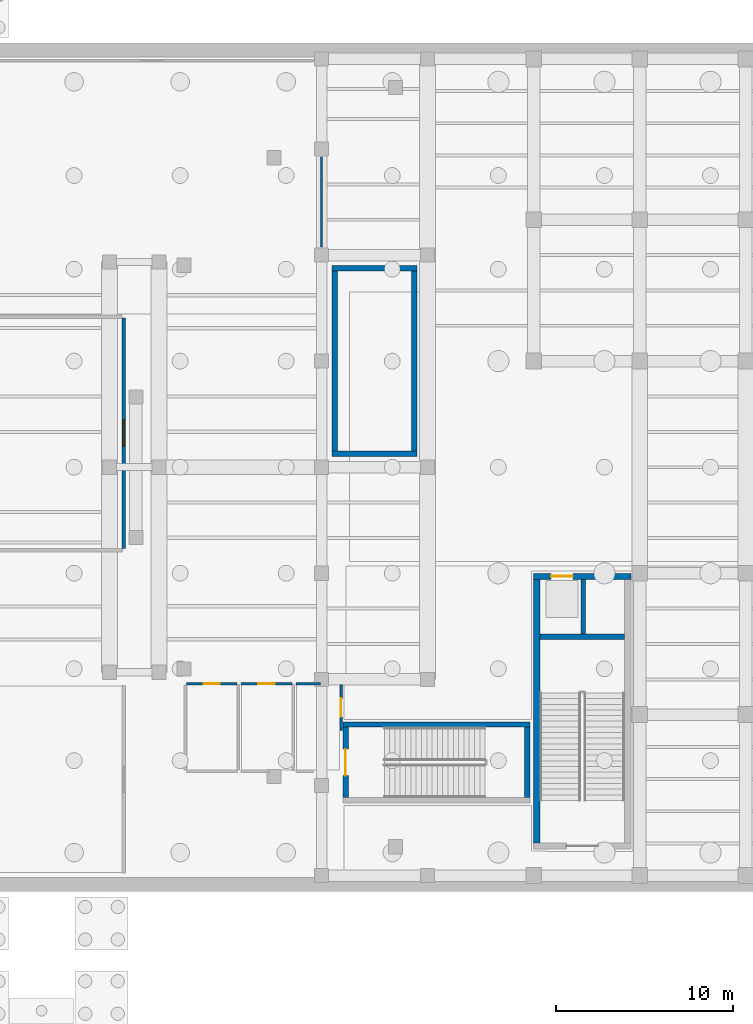
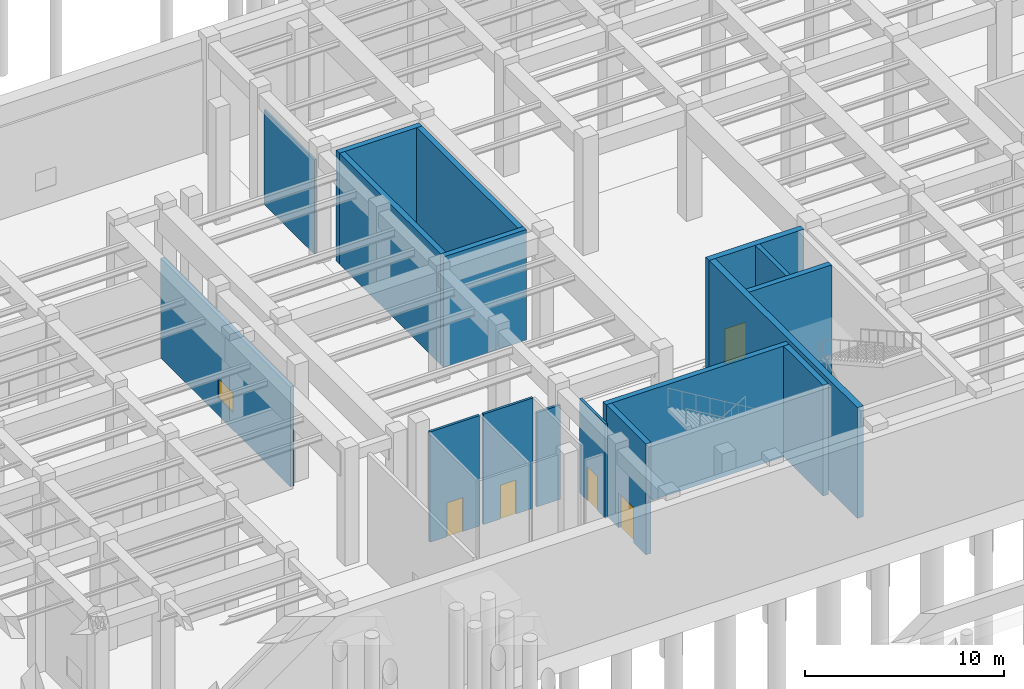
# One storey, part 14 of 30: 17 walls, 5 doors, 1 window, 6 openings.
"""IFC4 building model written with IfcOpenShell, lengths in metres."""

from ifc_helpers import new_model, si_unit, direction, frame, frame_2d, origin, place, context, subcontext, project, spatial, rectangle, extrude, material, layer, layer_set, type_object, element, fill, save


model = new_model("IFC4")

# Units and contexts
model_context = context("Model", 3, precision=1e-05, world=origin(), true_north=direction((0.0, 1.0)))
body_context = subcontext(model_context, "Body", "Model", "MODEL_VIEW")
ifc_project = project(units=[si_unit("LENGTHUNIT", "METRE"), si_unit("AREAUNIT", "SQUARE_METRE"), si_unit("VOLUMEUNIT", "CUBIC_METRE"), si_unit("PLANEANGLEUNIT", "RADIAN"), si_unit("MASSUNIT", "GRAM", prefix="KILO")], contexts=[model_context])

# Site, building, storey
site_placement = place(None, origin())
site = spatial("IfcSite", under=ifc_project, at=site_placement, CompositionType="ELEMENT")
building_placement = place(site_placement, origin())
building = spatial("IfcBuilding", under=site, at=building_placement, Name="Kolvaren Corner Interchange", CompositionType="ELEMENT")
storey_placement = place(building_placement, frame((0.0, 0.0, -7.199951171875)))
storey = spatial("IfcBuildingStorey", under=building, at=storey_placement, Name="B1", CompositionType="ELEMENT", Elevation=-7.199951171875)

# Wall, opening, door
ifc_material_1 = material(Name="Concrete C35/45", Category="concrete")
ifc_layer_1 = layer(ifc_material_1, 0.35009765625)
ifc_layer_set_1 = layer_set([ifc_layer_1], Name="Concrete C35/45")
wall_type_1 = type_object("IfcWallType", Name="WL-CORE-350", PredefinedType="SHEAR", material=ifc_layer_set_1)
wall_1_placement = place(storey_placement, frame((60.0, 41.824951171875, 0.0), z_axis=(0.0, 0.0, 1.0), x_axis=(1.0, 0.0, 0.0)))
wall_1 = element("IfcWall", 1, at=wall_1_placement, inside=storey, type_object=wall_type_1, Name="Core C3 B1 North Shear Wall", PredefinedType="SHEAR", context=body_context, shape_type="SweptSolid", body=[
    extrude(rectangle(XDim=5.5, YDim=0.35009765625, at=frame_2d((2.75, 0.0))), origin(), (0.0, 0.0, 1.0), 6.800048828125),
])
opening_1_placement = place(wall_1_placement, frame((0.989990234375, 0.0, 0.0)))
opening_1 = element("IfcOpeningElement", 2, at=opening_1_placement, cuts=wall_1, Name="Opening LD-LF-P1-B1", PredefinedType="OPENING", context=body_context, shape_type="SweptSolid", body=[
    extrude(rectangle(XDim=1.219970703125, YDim=2.14990234375, at=frame_2d((0.60986328125, 1.074951171875))), frame((0.0, 0.18505859375, 0.0), z_axis=(0.0, -1.0, 0.0), x_axis=(1.0, 0.0, 0.0)), (0.0, 0.0, 1.0), 0.3701171875),
])
ifc_material_2 = material(Name="Brushed Stainless Steel Landing Door", Category="steel")
door_type_1 = type_object("IfcDoorType", Name="DT-LIFT-1220", OperationType="NOTDEFINED", PredefinedType="DOOR", material=ifc_material_2)
door_1_placement = place(opening_1_placement, origin())
door_1 = element("IfcDoor", 3, at=door_1_placement, inside=storey, type_object=door_type_1, Name="Passenger Lift LF P1 B1 Sliding Landing Door", OperationType="DOUBLE_DOOR_SLIDING", OverallHeight=2.14990234375, OverallWidth=1.219970703125, PredefinedType="DOOR", context=body_context, shape_type="SweptSolid", body=[
    extrude(rectangle(XDim=1.219970703125, YDim=2.14990234375, at=frame_2d((0.60986328125, 1.074951171875))), frame((0.0, 0.02490234375, 0.0), z_axis=(0.0, -1.0, 0.0), x_axis=(1.0, 0.0, 0.0)), (0.0, 0.0, 1.0), 0.050048828125),
])
fill(opening_1, door_1)

# Walls
wall_2_placement = place(storey_placement, frame((60.175048828125, 26.75, 0.0), z_axis=(0.0, 0.0, 1.0), x_axis=(0.0, 1.0, 0.0)))
element("IfcWall", 4, at=wall_2_placement, inside=storey, type_object=wall_type_1, Name="Core C3 B1 West Shear Wall", PredefinedType="SHEAR", context=body_context, shape_type="SweptSolid", body=[
    extrude(rectangle(XDim=14.89990234375, YDim=0.35009765625, at=frame_2d((7.449951171875, 0.0))), origin(), (0.0, 0.0, 1.0), 6.800048828125),
])
ifc_material_3 = material(Name="Concrete C35/45", Category="concrete")
ifc_layer_2 = layer(ifc_material_3, 0.31005859375)
ifc_layer_set_2 = layer_set([ifc_layer_2], Name="Concrete C35/45")
wall_type_2 = type_object("IfcWallType", Name="WL-STAIR-300", PredefinedType="SHEAR", material=ifc_layer_set_2)
wall_3_placement = place(storey_placement, frame((60.35009765625, 38.39990234375, 0.0), z_axis=(0.0, 0.0, 1.0), x_axis=(1.0, 0.0, 0.0)))
element("IfcWall", 5, at=wall_3_placement, inside=storey, type_object=wall_type_2, Name="Core C3 B1 Lift and Stairwell Divider Wall", PredefinedType="SHEAR", context=body_context, shape_type="SweptSolid", body=[
    extrude(rectangle(XDim=4.7998046875, YDim=0.31005859375, at=frame_2d((2.39990234375, 0.0))), origin(), (0.0, 0.0, 1.0), 6.800048828125),
])
wall_4_placement = place(storey_placement, frame((49.199951171875, 33.445068359375, 0.0), z_axis=(0.0, 0.0, 1.0), x_axis=(1.0, 0.0, 0.0)))
element("IfcWall", 6, at=wall_4_placement, inside=storey, type_object=wall_type_2, Name="Metro West Plant and Gateline Exit Stair B1 North Enclosure Wall", PredefinedType="SHEAR", context=body_context, shape_type="SweptSolid", body=[
    extrude(rectangle(XDim=10.60009765625, YDim=0.31005859375, at=frame_2d((5.300048828125, 0.0))), origin(), (0.0, 0.0, 1.0), 6.800048828125),
])

# Wall, opening, door
wall_5_placement = place(storey_placement, frame((49.35498046875, 29.31005859375, 0.0), z_axis=(0.0, 0.0, 1.0), x_axis=(0.0, 1.0, 0.0)))
wall_5 = element("IfcWall", 7, at=wall_5_placement, inside=storey, type_object=wall_type_2, Name="Metro West Plant and Gateline Exit Stair B1 West Enclosure Wall", PredefinedType="SHEAR", context=body_context, shape_type="SweptSolid", body=[
    extrude(rectangle(XDim=3.97998046875, YDim=0.31005859375, at=frame_2d((1.989990234375, 0.0))), origin(), (0.0, 0.0, 1.0), 6.800048828125),
])
opening_2_placement = place(wall_5_placement, frame((1.239990234375, 0.0, 0.0)))
opening_2 = element("IfcOpeningElement", 8, at=opening_2_placement, cuts=wall_5, Name="Opening D-F02", PredefinedType="OPENING", context=body_context, shape_type="SweptSolid", body=[
    extrude(rectangle(XDim=1.5, YDim=2.14990234375, at=frame_2d((0.75, 1.074951171875))), frame((0.0, 0.1650390625, 0.0), z_axis=(0.0, -1.0, 0.0), x_axis=(1.0, 0.0, 0.0)), (0.0, 0.0, 1.0), 0.330078125),
])
ifc_material_4 = material(Name="Powder-coated Fire-rated Steel Sheet", Category="steel")
door_type_2 = type_object("IfcDoorType", Name="DT-FD-1500x2150", OperationType="NOTDEFINED", PredefinedType="DOOR", material=ifc_material_4)
door_2_placement = place(opening_2_placement, origin())
door_2 = element("IfcDoor", 9, at=door_2_placement, inside=storey, type_object=door_type_2, Name="Metro West Plant and Gateline Exit Stair B1 Protected Exit Door", OperationType="DOUBLE_DOOR_SINGLE_SWING", OverallHeight=2.14990234375, OverallWidth=1.5, PredefinedType="DOOR", context=body_context, shape_type="SweptSolid", body=[
    extrude(rectangle(XDim=1.5, YDim=2.14990234375, at=frame_2d((0.75, 1.074951171875))), frame((0.0, 0.02490234375, 0.0), z_axis=(0.0, -1.0, 0.0), x_axis=(1.0, 0.0, 0.0)), (0.0, 0.0, 1.0), 0.050048828125),
])
fill(opening_2, door_2)

# Walls
wall_6_placement = place(storey_placement, frame((59.64501953125, 29.31005859375, 0.0), z_axis=(0.0, 0.0, 1.0), x_axis=(0.0, 1.0, 0.0)))
element("IfcWall", 10, at=wall_6_placement, inside=storey, type_object=wall_type_2, Name="Metro West Plant and Gateline Exit Stair B1 East Enclosure Wall", PredefinedType="SHEAR", context=body_context, shape_type="SweptSolid", body=[
    extrude(rectangle(XDim=3.97998046875, YDim=0.31005859375, at=frame_2d((1.989990234375, 0.0))), origin(), (0.0, 0.0, 1.0), 6.800048828125),
])
for number, where, z_axis, x_axis, name in (
    (11, (48.60009765625, 48.7548828125, 0.0), (0.0, 0.0, 1.0), (1.0, 0.0, 0.0), "West Racetrack Concourse Gallery Stair B1 Foundation Shaft South Wall"),
    (12, (48.60009765625, 59.2451171875, 0.0), (0.0, 0.0, 1.0), (1.0, 0.0, 0.0), "West Racetrack Concourse Gallery Stair B1 Foundation Shaft North Wall"),
):
    element("IfcWall", number, at=place(storey_placement, frame(where, z_axis=z_axis, x_axis=x_axis)), inside=storey, type_object=wall_type_2, Name=name, PredefinedType="SHEAR", context=body_context, shape_type="SweptSolid", body=[
        extrude(rectangle(XDim=4.7998046875, YDim=0.31005859375, at=frame_2d((2.39990234375, 0.0))), origin(), (0.0, 0.0, 1.0), 6.800048828125),
    ])
for number, where, z_axis, x_axis, name in (
    (13, (48.7548828125, 48.909912109375, 0.0), (0.0, 0.0, 1.0), (0.0, 1.0, 0.0), "West Racetrack Concourse Gallery Stair B1 Foundation Shaft West Wall"),
    (14, (53.2451171875, 48.909912109375, 0.0), (0.0, 0.0, 1.0), (0.0, 1.0, 0.0), "West Racetrack Concourse Gallery Stair B1 Foundation Shaft East Wall"),
):
    element("IfcWall", number, at=place(storey_placement, frame(where, z_axis=z_axis, x_axis=x_axis)), inside=storey, type_object=wall_type_2, Name=name, PredefinedType="SHEAR", context=body_context, shape_type="SweptSolid", body=[
        extrude(rectangle(XDim=10.18017578125, YDim=0.31005859375, at=frame_2d((5.090087890625, 0.0))), origin(), (0.0, 0.0, 1.0), 6.800048828125),
    ])

# Wall, opening, window
ifc_material_5 = material(Name="Fire-Rated Gypsum Block Partition")
ifc_layer_3 = layer(ifc_material_5, 0.199951171875)
ifc_layer_set_3 = layer_set([ifc_layer_3], Name="Fire-Rated Gypsum Block Partition")
wall_type_3 = type_object("IfcWallType", Name="WT-PART-FR200", PredefinedType="PARTITIONING", material=ifc_layer_set_3)
wall_7_placement = place(storey_placement, frame((36.800048828125, 43.402099609375, 0.0), z_axis=(0.0, 0.0, 1.0), x_axis=(0.0, 1.0, 0.0)))
wall_7 = element("IfcWall", 15, at=wall_7_placement, inside=storey, type_object=wall_type_3, Name="B1 UPS and Battery Room Partition Wall 006", PredefinedType="PARTITIONING", context=body_context, shape_type="SweptSolid", body=[
    extrude(rectangle(XDim=13.0478515625, YDim=0.199951171875, at=frame_2d((6.52392578125, 0.0))), origin(), (0.0, 0.0, 1.0), 6.135009765625),
])
opening_3_placement = place(wall_7_placement, frame((5.77392578125, 0.0, 1.050048828125)))
opening_3 = element("IfcOpeningElement", 16, at=opening_3_placement, cuts=wall_7, Name="Opening W-I02", PredefinedType="OPENING", context=body_context, shape_type="SweptSolid", body=[
    extrude(rectangle(XDim=1.5, YDim=1.199951171875, at=frame_2d((0.75, 0.60009765625))), frame((0.0, 0.10986328125, 0.0), z_axis=(0.0, -1.0, 0.0), x_axis=(1.0, 0.0, 0.0)), (0.0, 0.0, 1.0), 0.219970703125),
])
ifc_material_6 = material(Name="Fire-Rated Interior Observation Window")
window_type = type_object("IfcWindowType", Name="WT-INT-1500x1200", PartitioningType="SINGLE_PANEL", PredefinedType="WINDOW", material=ifc_material_6)
window_placement = place(opening_3_placement, origin())
window = element("IfcWindow", 17, at=window_placement, inside=storey, type_object=window_type, Name="B1 Interior Vision Glazing 04", OverallHeight=1.199951171875, OverallWidth=1.5, PartitioningType="SINGLE_PANEL", PredefinedType="WINDOW", context=body_context, shape_type="SweptSolid", body=[
    extrude(rectangle(XDim=1.5, YDim=1.199951171875, at=frame_2d((0.75, 0.60009765625))), frame((0.0, 0.030029296875, 0.0), z_axis=(0.0, -1.0, 0.0), x_axis=(1.0, 0.0, 0.0)), (0.0, 0.0, 1.0), 0.06005859375),
])
fill(opening_3, window)

# Wall
ifc_material_7 = material(Name="Standard Metal-Stud Drywall Partition")
ifc_layer_4 = layer(ifc_material_7, 0.1201171875)
ifc_layer_set_4 = layer_set([ifc_layer_4], Name="Standard Metal-Stud Drywall Partition")
wall_type_4 = type_object("IfcWallType", Name="WT-PART-ST125", PredefinedType="PARTITIONING", material=ifc_layer_set_4)
wall_8_placement = place(storey_placement, frame((48.0, 60.4599609375, 0.0), z_axis=(0.0, 0.0, 1.0), x_axis=(0.0, 1.0, 0.0)))
element("IfcWall", 18, at=wall_8_placement, inside=storey, type_object=wall_type_4, Name="B1 Signalling Equipment Room Partition Wall 009", PredefinedType="PARTITIONING", context=body_context, shape_type="SweptSolid", body=[
    extrude(rectangle(XDim=5.080078125, YDim=0.1201171875, at=frame_2d((2.5400390625, 0.0))), origin(), (0.0, 0.0, 1.0), 5.784912109375),
])

# Wall, opening, door
ifc_material_8 = material(Name="Moisture-Resistant Ceramic Tile Partition")
ifc_layer_5 = layer(ifc_material_8, 0.139892578125)
ifc_layer_set_5 = layer_set([ifc_layer_5], Name="Moisture-Resistant Ceramic Tile Partition")
wall_type_5 = type_object("IfcWallType", Name="WT-PART-WC140", PredefinedType="PARTITIONING", material=ifc_layer_set_5)
wall_9_placement = place(storey_placement, frame((43.22802734375, 35.75, 0.0), z_axis=(0.0, 0.0, 1.0), x_axis=(-1.0, 0.0, 0.0)))
wall_9 = element("IfcWall", 19, at=wall_9_placement, inside=storey, type_object=wall_type_5, Name="B1 Male WC Partition Wall 020", PredefinedType="PARTITIONING", context=body_context, shape_type="SweptSolid", body=[
    extrude(rectangle(XDim=2.8779296875, YDim=0.139892578125, at=frame_2d((1.43896484375, 0.0))), origin(), (0.0, 0.0, 1.0), 6.780029296875),
])
opening_4_placement = place(wall_9_placement, frame((0.97900390625, 0.0, 0.0)))
opening_4 = element("IfcOpeningElement", 20, at=opening_4_placement, cuts=wall_9, Name="Opening D-I04", PredefinedType="OPENING", context=body_context, shape_type="SweptSolid", body=[
    extrude(rectangle(XDim=0.919921875, YDim=2.080078125, at=frame_2d((0.4599609375, 1.0400390625))), frame((0.0, 0.079833984375, 0.0), z_axis=(0.0, -1.0, 0.0), x_axis=(1.0, 0.0, 0.0)), (0.0, 0.0, 1.0), 0.159912109375),
])
ifc_material_9 = material(Name="Moisture-Resistant Laminate Timber Door", Category="wood")
door_type_3 = type_object("IfcDoorType", Name="DT-WC-920x2100", OperationType="NOTDEFINED", PredefinedType="DOOR", material=ifc_material_9)
door_3_placement = place(opening_4_placement, origin())
door_3 = element("IfcDoor", 21, at=door_3_placement, inside=storey, type_object=door_type_3, Name="B1 Male WC Door", OperationType="SINGLE_SWING_RIGHT", OverallHeight=2.080078125, OverallWidth=0.919921875, PredefinedType="DOOR", context=body_context, shape_type="SweptSolid", body=[
    extrude(rectangle(XDim=0.919921875, YDim=2.080078125, at=frame_2d((0.4599609375, 1.0400390625))), frame((0.0, 0.02490234375, 0.0), z_axis=(0.0, -1.0, 0.0), x_axis=(1.0, 0.0, 0.0)), (0.0, 0.0, 1.0), 0.050048828125),
])
fill(opening_4, door_3)

wall_10_placement = place(storey_placement, frame((46.327880859375, 35.75, 0.0), z_axis=(0.0, 0.0, 1.0), x_axis=(-1.0, 0.0, 0.0)))
wall_10 = element("IfcWall", 22, at=wall_10_placement, inside=storey, type_object=wall_type_5, Name="B1 Female WC Partition Wall 024", PredefinedType="PARTITIONING", context=body_context, shape_type="SweptSolid", body=[
    extrude(rectangle(XDim=2.8779296875, YDim=0.139892578125, at=frame_2d((1.43896484375, 0.0))), origin(), (0.0, 0.0, 1.0), 6.780029296875),
])
opening_5_placement = place(wall_10_placement, frame((0.97900390625, 0.0, 0.0)))
opening_5 = element("IfcOpeningElement", 23, at=opening_5_placement, cuts=wall_10, Name="Opening D-I04", PredefinedType="OPENING", context=body_context, shape_type="SweptSolid", body=[
    extrude(rectangle(XDim=0.919921875, YDim=2.080078125, at=frame_2d((0.4599609375, 1.0400390625))), frame((0.0, 0.079833984375, 0.0), z_axis=(0.0, -1.0, 0.0), x_axis=(1.0, 0.0, 0.0)), (0.0, 0.0, 1.0), 0.159912109375),
])
door_4_placement = place(opening_5_placement, origin())
door_4 = element("IfcDoor", 24, at=door_4_placement, inside=storey, type_object=door_type_3, Name="B1 Female WC Door", OperationType="SINGLE_SWING_LEFT", OverallHeight=2.080078125, OverallWidth=0.919921875, PredefinedType="DOOR", context=body_context, shape_type="SweptSolid", body=[
    extrude(rectangle(XDim=0.919921875, YDim=2.080078125, at=frame_2d((0.4599609375, 1.0400390625))), frame((0.0, 0.02490234375, 0.0), z_axis=(0.0, -1.0, 0.0), x_axis=(1.0, 0.0, 0.0)), (0.0, 0.0, 1.0), 0.050048828125),
])
fill(opening_5, door_4)

wall_11_placement = place(storey_placement, frame((49.10009765625, 33.10009765625, 0.0), z_axis=(0.0, 0.0, 1.0), x_axis=(0.0, 1.0, 0.0)))
wall_11 = element("IfcWall", 25, at=wall_11_placement, inside=storey, type_object=wall_type_5, Name="B1 Accessible WC Partition Wall 026", PredefinedType="PARTITIONING", context=body_context, shape_type="SweptSolid", body=[
    extrude(rectangle(XDim=2.599853515625, YDim=0.139892578125, at=frame_2d((1.2998046875, 0.0))), origin(), (0.0, 0.0, 1.0), 5.784912109375),
])
opening_6_placement = place(wall_11_placement, frame((0.780029296875, 0.0, 0.0)))
opening_6 = element("IfcOpeningElement", 26, at=opening_6_placement, cuts=wall_11, Name="Opening D-I05", PredefinedType="OPENING", context=body_context, shape_type="SweptSolid", body=[
    extrude(rectangle(XDim=1.0400390625, YDim=2.10009765625, at=frame_2d((0.52001953125, 1.050048828125))), frame((0.0, 0.079833984375, 0.0), z_axis=(0.0, -1.0, 0.0), x_axis=(1.0, 0.0, 0.0)), (0.0, 0.0, 1.0), 0.159912109375),
])
ifc_material_10 = material(Name="Accessible Outward-Opening Timber Door", Category="wood")
door_type_4 = type_object("IfcDoorType", Name="DT-AWC-1040x2100", OperationType="NOTDEFINED", PredefinedType="DOOR", material=ifc_material_10)
door_5_placement = place(opening_6_placement, origin())
door_5 = element("IfcDoor", 27, at=door_5_placement, inside=storey, type_object=door_type_4, Name="B1 Accessible WC Door", OperationType="SINGLE_SWING_RIGHT", OverallHeight=2.10009765625, OverallWidth=1.0400390625, PredefinedType="DOOR", context=body_context, shape_type="SweptSolid", body=[
    extrude(rectangle(XDim=1.0400390625, YDim=2.10009765625, at=frame_2d((0.52001953125, 1.050048828125))), frame((0.0, 0.02490234375, 0.0), z_axis=(0.0, -1.0, 0.0), x_axis=(1.0, 0.0, 0.0)), (0.0, 0.0, 1.0), 0.050048828125),
])
fill(opening_6, door_5)

# Walls
wall_12_placement = place(storey_placement, frame((47.929931640625, 35.75, 0.0), z_axis=(0.0, 0.0, 1.0), x_axis=(-1.0, 0.0, 0.0)))
element("IfcWall", 28, at=wall_12_placement, inside=storey, type_object=wall_type_5, Name="B1 Accessible WC Partition Wall 027", PredefinedType="PARTITIONING", context=body_context, shape_type="SweptSolid", body=[
    extrude(rectangle(XDim=1.3798828125, YDim=0.139892578125, at=frame_2d((0.68994140625, 0.0))), origin(), (0.0, 0.0, 1.0), 5.784912109375),
])
ifc_material_11 = material(Name="Concrete C35/45", Category="concrete")
ifc_layer_6 = layer(ifc_material_11, 0.25)
ifc_layer_set_6 = layer_set([ifc_layer_6], Name="Concrete C35/45")
wall_type_6 = type_object("IfcWallType", Name="WT-SHAFT-RC250", PredefinedType="SHEAR", material=ifc_layer_set_6)
wall_13_placement = place(storey_placement, frame((62.800048828125, 38.554931640625, 0.0), z_axis=(0.0, 0.0, 1.0), x_axis=(0.0, 1.0, 0.0)))
element("IfcWall", 29, at=wall_13_placement, inside=storey, type_object=wall_type_6, Name="Core B1 C3 Passenger Lift Divider Wall", PredefinedType="SHEAR", context=body_context, shape_type="SweptSolid", body=[
    extrude(rectangle(XDim=3.094970703125, YDim=0.25, at=frame_2d((1.54736328125, 0.0))), origin(), (0.0, 0.0, 1.0), 6.800048828125),
])

save(model, "model.ifc")
